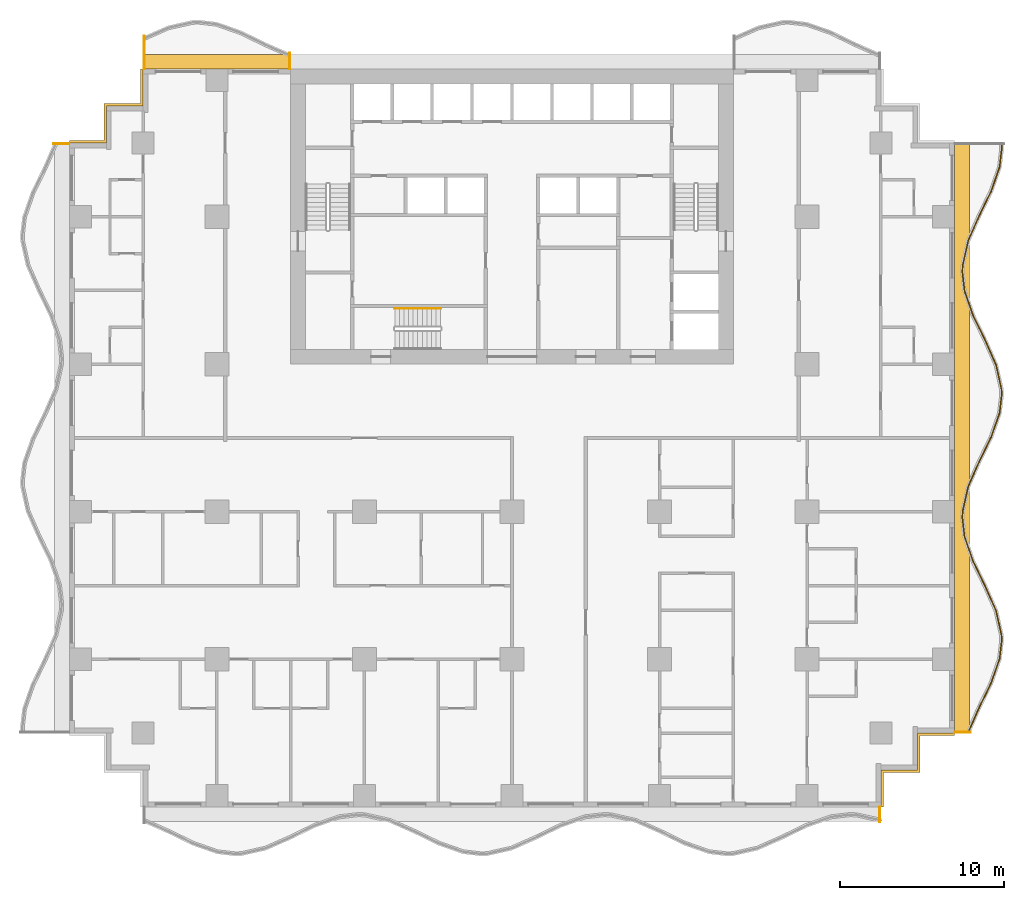
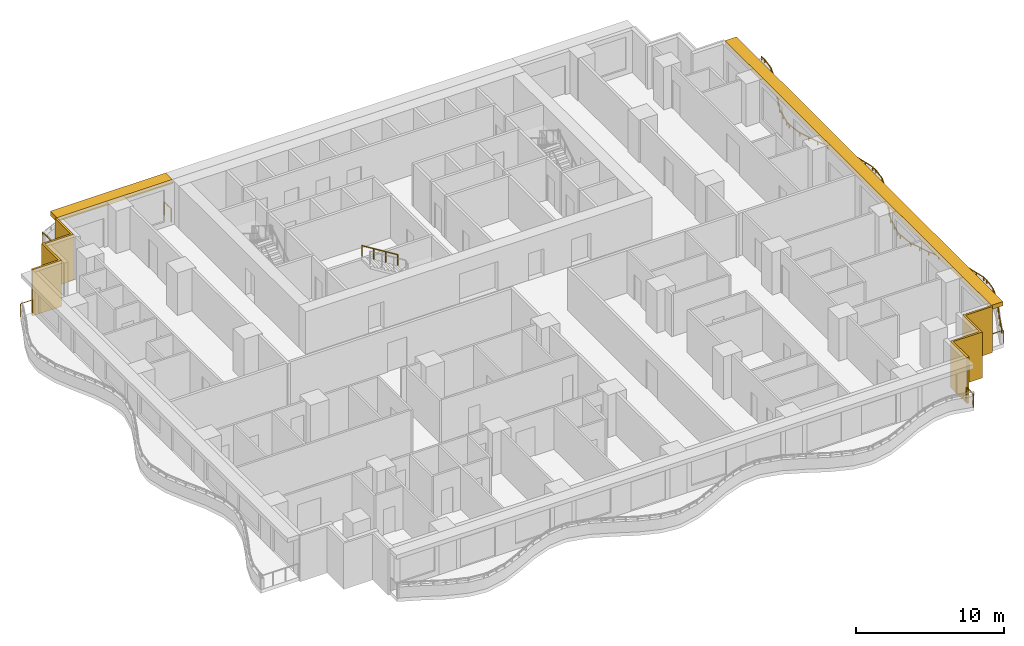
# One storey, part 11 of 14: 7 railings, 4 shading devices.
"""IFC4 building model written with IfcOpenShell, lengths in metres."""

from ifc_helpers import new_model, si_unit, direction, frame, origin, origin_2d, place, context, subcontext, project, spatial, polyline, rectangle, circle, outline, extrude, material, layer, layer_set, type_object, element, save


model = new_model("IFC4")

# Units and contexts
model_context = context("Model", 3, precision=1e-05, world=origin(), true_north=direction((0.0, 1.0)))
body_context = subcontext(model_context, "Body", "Model", "MODEL_VIEW")
ifc_project = project(units=[si_unit("LENGTHUNIT", "METRE"), si_unit("AREAUNIT", "SQUARE_METRE"), si_unit("VOLUMEUNIT", "CUBIC_METRE"), si_unit("PLANEANGLEUNIT", "RADIAN"), si_unit("MASSUNIT", "GRAM", prefix="KILO")], contexts=[model_context])

# Site, building, storey
site_placement = place(None, origin())
site = spatial("IfcSite", under=ifc_project, at=site_placement, CompositionType="ELEMENT")
building_placement = place(site_placement, origin())
building = spatial("IfcBuilding", under=site, at=building_placement, Name="Orbiselva Terraces", CompositionType="ELEMENT")
storey_placement = place(building_placement, frame((0.0, 0.0, 73.2)))
storey = spatial("IfcBuildingStorey", under=building, at=storey_placement, Name="L18", CompositionType="ELEMENT", Elevation=73.2)

# Railings
ifc_material_1 = material(Name="Stainless steel", Category="steel")
railing_type_1 = type_object("IfcRailingType", Name="CORE-HANDRAIL-900", PredefinedType="HANDRAIL", material=ifc_material_1)
railing_1_placement = place(storey_placement, frame((-4.35, 7.9, 2.072727)))
element("IfcRailing", 1, at=railing_1_placement, inside=storey, type_object=railing_type_1, Name="L18 S3 stair handrail 2", PredefinedType="HANDRAIL", context=body_context, shape_type="SweptSolid", body=[
    extrude(circle(Radius=0.024, at=origin_2d()), frame((0.0, 0.0, 0.876), z_axis=(-0.851088519012, 0.0, 0.52502222125), x_axis=(0.0, -1.0, 0.0)), (0.0, 0.0, 1.0), 3.289905),
    extrude(circle(Radius=0.021, at=origin_2d()), origin(), (0.0, 0.0, 1.0), 0.852),
    extrude(circle(Radius=0.021, at=origin_2d()), frame((-0.933333, 0.0, 0.575758)), (0.0, 0.0, 1.0), 0.852),
    extrude(circle(Radius=0.021, at=origin_2d()), frame((-1.866667, 0.0, 1.151515)), (0.0, 0.0, 1.0), 0.852),
    extrude(circle(Radius=0.021, at=origin_2d()), frame((-2.8, 0.0, 1.727273)), (0.0, 0.0, 1.0), 0.852),
])
ifc_material_2 = material(Name="Bonded two-ply safety glass balustrade, stainless steel posts", Category="steel")
railing_type_2 = type_object("IfcRailingType", Name="ENV-BALUSTRADE-1200", PredefinedType="BALUSTRADE", material=ifc_material_2)
railing_2_placement = place(storey_placement, frame((27.83708, -17.949606, 0.9)))
element("IfcRailing", 2, at=railing_2_placement, inside=storey, type_object=railing_type_2, Name="Balcony balustrade L18 E", PredefinedType="BALUSTRADE", context=body_context, shape_type="SweptSolid", body=[
    extrude(outline(polyline([(0.028868, 0.0), (0.014434, 0.025), (-0.014434, 0.025), (-0.028868, 0.0), (-0.014434, -0.025), (0.014434, -0.025), (0.028868, 0.0)])), frame((0.0, 0.0, 0.275), z_axis=(0.403151175476, 0.915133394491, 0.0), x_axis=(-0.915133394491, 0.403151175476, 0.0)), (0.0, 0.0, 1.0), 1.641563),
    extrude(outline(polyline([(0.028868, 0.0), (0.014434, 0.025), (-0.014434, 0.025), (-0.028868, 0.0), (-0.014434, -0.025), (0.014434, -0.025), (0.028868, 0.0)])), frame((0.661798, 1.502249, 0.275), z_axis=(0.438811978768, 0.89857890432, 0.0), x_axis=(-0.89857890432, 0.438811978768, 0.0)), (0.0, 0.0, 1.0), 1.66438),
    extrude(outline(polyline([(0.028868, 0.0), (0.014434, 0.025), (-0.014434, 0.025), (-0.028868, 0.0), (-0.014434, -0.025), (0.014434, -0.025), (0.028868, 0.0)])), frame((1.392148, 2.997826, 0.275), z_axis=(0.330024754707, 0.943972277814, 0.0), x_axis=(-0.943972277814, 0.330024754707, 0.0)), (0.0, 0.0, 1.0), 1.567807),
    extrude(outline(polyline([(0.028868, 0.0), (0.014434, 0.025), (-0.014434, 0.025), (-0.028868, 0.0), (-0.014434, -0.025), (0.014434, -0.025), (0.028868, 0.0)])), frame((1.909563, 4.477792, 0.275), z_axis=(0.115481264762, 0.993309658409, 0.0), x_axis=(-0.993309658409, 0.115481264762, 0.0)), (0.0, 0.0, 1.0), 1.10902),
    extrude(outline(polyline([(0.028868, 0.0), (0.014434, 0.025), (-0.014434, 0.025), (-0.028868, 0.0), (-0.014434, -0.025), (0.014434, -0.025), (0.028868, 0.0)])), frame((2.037634, 5.579392, 0.275), z_axis=(-0.039364150694, 0.999224931454, 0.0), x_axis=(-0.999224931454, -0.039364150694, 0.0)), (0.0, 0.0, 1.0), 0.354206),
    extrude(outline(polyline([(0.028868, 0.0), (0.014434, 0.025), (-0.014434, 0.025), (-0.028868, 0.0), (-0.014434, -0.025), (0.014434, -0.025), (0.028868, 0.0)])), frame((2.023691, 5.933323, 0.275), z_axis=(-0.219015740235, 0.975721325753, 0.0), x_axis=(-0.975721325753, -0.219015740235, 0.0)), (0.0, 0.0, 1.0), 1.513782),
    extrude(outline(polyline([(0.028868, 0.0), (0.014434, 0.025), (-0.014434, 0.025), (-0.028868, 0.0), (-0.014434, -0.025), (0.014434, -0.025), (0.028868, 0.0)])), frame((1.692149, 7.410352, 0.275), z_axis=(-0.403151245402, 0.915133363686, 0.0), x_axis=(-0.915133363686, -0.403151245402, 0.0)), (0.0, 0.0, 1.0), 1.624475),
    extrude(outline(polyline([(0.028868, 0.0), (0.014434, 0.025), (-0.014434, 0.025), (-0.028868, 0.0), (-0.014434, -0.025), (0.014434, -0.025), (0.028868, 0.0)])), frame((1.03724, 8.896963, 0.275), z_axis=(-0.438812048596, 0.898578870221, 0.0), x_axis=(-0.898578870221, -0.438812048596, 0.0)), (0.0, 0.0, 1.0), 1.674225),
    extrude(outline(polyline([(0.028868, 0.0), (0.014434, 0.025), (-0.014434, 0.025), (-0.028868, 0.0), (-0.014434, -0.025), (0.014434, -0.025), (0.028868, 0.0)])), frame((0.30257, 10.401386, 0.275), z_axis=(-0.330024597479, 0.943972332783, 0.0), x_axis=(-0.943972332783, -0.330024597479, 0.0)), (0.0, 0.0, 1.0), 1.610253),
    extrude(outline(polyline([(0.028868, 0.0), (0.014434, 0.025), (-0.014434, 0.025), (-0.028868, 0.0), (-0.014434, -0.025), (0.014434, -0.025), (0.028868, 0.0)])), frame((-0.228853, 11.92142, 0.275), z_axis=(-0.115482182324, 0.993309551734, 0.0), x_axis=(-0.993309551734, -0.115482182324, 0.0)), (0.0, 0.0, 1.0), 1.156135),
    extrude(outline(polyline([(0.028868, 0.0), (0.014434, 0.025), (-0.014434, 0.025), (-0.028868, 0.0), (-0.014434, -0.025), (0.014434, -0.025), (0.028868, 0.0)])), frame((-0.362366, 13.06982, 0.275), z_axis=(0.03936915532, 0.999224734286, 0.0), x_axis=(-0.999224734286, 0.03936915532, 0.0)), (0.0, 0.0, 1.0), 0.396376),
    extrude(outline(polyline([(0.028868, 0.0), (0.014434, 0.025), (-0.014434, 0.025), (-0.028868, 0.0), (-0.014434, -0.025), (0.014434, -0.025), (0.028868, 0.0)])), frame((-0.346761, 13.465889, 0.275), z_axis=(0.219015500924, 0.97572137947, 0.0), x_axis=(-0.97572137947, 0.219015500924, 0.0)), (0.0, 0.0, 1.0), 1.560867),
    extrude(outline(polyline([(0.028868, 0.0), (0.014434, 0.025), (-0.014434, 0.025), (-0.028868, 0.0), (-0.014434, -0.025), (0.014434, -0.025), (0.028868, 0.0)])), frame((-0.004907, 14.98886, 0.275), z_axis=(0.403150874148, 0.915133527237, 0.0), x_axis=(-0.915133527237, 0.403150874148, 0.0)), (0.0, 0.0, 1.0), 1.653736),
    extrude(outline(polyline([(0.028868, 0.0), (0.014434, 0.025), (-0.014434, 0.025), (-0.028868, 0.0), (-0.014434, -0.025), (0.014434, -0.025), (0.028868, 0.0)])), frame((0.661798, 16.502249, 0.275), z_axis=(0.438811978768, 0.89857890432, 0.0), x_axis=(-0.89857890432, 0.438811978768, 0.0)), (0.0, 0.0, 1.0), 1.66438),
    extrude(outline(polyline([(0.028868, 0.0), (0.014434, 0.025), (-0.014434, 0.025), (-0.028868, 0.0), (-0.014434, -0.025), (0.014434, -0.025), (0.028868, 0.0)])), frame((1.392148, 17.997826, 0.275), z_axis=(0.330024754707, 0.943972277814, 0.0), x_axis=(-0.943972277814, 0.330024754707, 0.0)), (0.0, 0.0, 1.0), 1.567807),
    extrude(outline(polyline([(0.028868, 0.0), (0.014434, 0.025), (-0.014434, 0.025), (-0.028868, 0.0), (-0.014434, -0.025), (0.014434, -0.025), (0.028868, 0.0)])), frame((1.909563, 19.477792, 0.275), z_axis=(0.115481264762, 0.993309658409, 0.0), x_axis=(-0.993309658409, 0.115481264762, 0.0)), (0.0, 0.0, 1.0), 1.10902),
    extrude(outline(polyline([(0.028868, 0.0), (0.014434, 0.025), (-0.014434, 0.025), (-0.028868, 0.0), (-0.014434, -0.025), (0.014434, -0.025), (0.028868, 0.0)])), frame((2.037634, 20.579392, 0.275), z_axis=(-0.039364150694, 0.999224931454, 0.0), x_axis=(-0.999224931454, -0.039364150694, 0.0)), (0.0, 0.0, 1.0), 0.354206),
    extrude(outline(polyline([(0.028868, 0.0), (0.014434, 0.025), (-0.014434, 0.025), (-0.028868, 0.0), (-0.014434, -0.025), (0.014434, -0.025), (0.028868, 0.0)])), frame((2.023691, 20.933323, 0.275), z_axis=(-0.219015740235, 0.975721325753, 0.0), x_axis=(-0.975721325753, -0.219015740235, 0.0)), (0.0, 0.0, 1.0), 1.513782),
    extrude(outline(polyline([(0.028868, 0.0), (0.014434, 0.025), (-0.014434, 0.025), (-0.028868, 0.0), (-0.014434, -0.025), (0.014434, -0.025), (0.028868, 0.0)])), frame((1.692149, 22.410352, 0.275), z_axis=(-0.403151245402, 0.915133363686, 0.0), x_axis=(-0.915133363686, -0.403151245402, 0.0)), (0.0, 0.0, 1.0), 1.624475),
    extrude(outline(polyline([(0.028868, 0.0), (0.014434, 0.025), (-0.014434, 0.025), (-0.028868, 0.0), (-0.014434, -0.025), (0.014434, -0.025), (0.028868, 0.0)])), frame((1.03724, 23.896963, 0.275), z_axis=(-0.438812048596, 0.898578870221, 0.0), x_axis=(-0.898578870221, -0.438812048596, 0.0)), (0.0, 0.0, 1.0), 1.674225),
    extrude(outline(polyline([(0.028868, 0.0), (0.014434, 0.025), (-0.014434, 0.025), (-0.028868, 0.0), (-0.014434, -0.025), (0.014434, -0.025), (0.028868, 0.0)])), frame((0.30257, 25.401386, 0.275), z_axis=(-0.330024597479, 0.943972332783, 0.0), x_axis=(-0.943972332783, -0.330024597479, 0.0)), (0.0, 0.0, 1.0), 1.610253),
    extrude(outline(polyline([(0.028868, 0.0), (0.014434, 0.025), (-0.014434, 0.025), (-0.028868, 0.0), (-0.014434, -0.025), (0.014434, -0.025), (0.028868, 0.0)])), frame((-0.228853, 26.92142, 0.275), z_axis=(-0.115482182324, 0.993309551734, 0.0), x_axis=(-0.993309551734, -0.115482182324, 0.0)), (0.0, 0.0, 1.0), 1.156135),
    extrude(outline(polyline([(0.028868, 0.0), (0.014434, 0.025), (-0.014434, 0.025), (-0.028868, 0.0), (-0.014434, -0.025), (0.014434, -0.025), (0.028868, 0.0)])), frame((-0.362366, 28.06982, 0.275), z_axis=(0.03936915532, 0.999224734286, 0.0), x_axis=(-0.999224734286, 0.03936915532, 0.0)), (0.0, 0.0, 1.0), 0.396376),
    extrude(outline(polyline([(0.028868, 0.0), (0.014434, 0.025), (-0.014434, 0.025), (-0.028868, 0.0), (-0.014434, -0.025), (0.014434, -0.025), (0.028868, 0.0)])), frame((-0.346761, 28.465889, 0.275), z_axis=(0.219015500924, 0.97572137947, 0.0), x_axis=(-0.97572137947, 0.219015500924, 0.0)), (0.0, 0.0, 1.0), 1.560867),
    extrude(outline(polyline([(0.028868, 0.0), (0.014434, 0.025), (-0.014434, 0.025), (-0.028868, 0.0), (-0.014434, -0.025), (0.014434, -0.025), (0.028868, 0.0)])), frame((-0.004907, 29.98886, 0.275), z_axis=(0.403150874148, 0.915133527237, 0.0), x_axis=(-0.915133527237, 0.403150874148, 0.0)), (0.0, 0.0, 1.0), 1.653736),
    extrude(outline(polyline([(0.028868, 0.0), (0.014434, 0.025), (-0.014434, 0.025), (-0.028868, 0.0), (-0.014434, -0.025), (0.014434, -0.025), (0.028868, 0.0)])), frame((0.661798, 31.502249, 0.275), z_axis=(0.438811978768, 0.89857890432, 0.0), x_axis=(-0.89857890432, 0.438811978768, 0.0)), (0.0, 0.0, 1.0), 1.66438),
    extrude(outline(polyline([(0.028868, 0.0), (0.014434, 0.025), (-0.014434, 0.025), (-0.028868, 0.0), (-0.014434, -0.025), (0.014434, -0.025), (0.028868, 0.0)])), frame((1.392148, 32.997826, 0.275), z_axis=(0.330024754707, 0.943972277814, 0.0), x_axis=(-0.943972277814, 0.330024754707, 0.0)), (0.0, 0.0, 1.0), 1.567807),
    extrude(outline(polyline([(0.028868, 0.0), (0.014434, 0.025), (-0.014434, 0.025), (-0.028868, 0.0), (-0.014434, -0.025), (0.014434, -0.025), (0.028868, 0.0)])), frame((1.909563, 34.477792, 0.275), z_axis=(0.115481264762, 0.993309658409, 0.0), x_axis=(-0.993309658409, 0.115481264762, 0.0)), (0.0, 0.0, 1.0), 1.10902),
    extrude(outline(polyline([(0.028868, 0.0), (0.014434, 0.025), (-0.014434, 0.025), (-0.028868, 0.0), (-0.014434, -0.025), (0.014434, -0.025), (0.028868, 0.0)])), frame((2.037634, 35.579392, 0.275), z_axis=(-0.039365236599, 0.999224888675, 0.0), x_axis=(-0.999224888675, -0.039365236599, 0.0)), (0.0, 0.0, 1.0), 0.365576),
    extrude(rectangle(XDim=0.05, YDim=0.05, at=origin_2d()), origin(), (0.0, 0.0, 1.0), 0.25),
    extrude(rectangle(XDim=0.05, YDim=0.05, at=origin_2d()), frame((0.330899, 0.751124, 0.0)), (0.0, 0.0, 1.0), 0.25),
    extrude(rectangle(XDim=0.05, YDim=0.05, at=origin_2d()), frame((0.661798, 1.502249, 0.0)), (0.0, 0.0, 1.0), 0.25),
    extrude(rectangle(XDim=0.05, YDim=0.05, at=origin_2d()), frame((1.026973, 2.250037, 0.0)), (0.0, 0.0, 1.0), 0.25),
    extrude(rectangle(XDim=0.05, YDim=0.05, at=origin_2d()), frame((1.392148, 2.997826, 0.0)), (0.0, 0.0, 1.0), 0.25),
    extrude(rectangle(XDim=0.05, YDim=0.05, at=origin_2d()), frame((1.650855, 3.737809, 0.0)), (0.0, 0.0, 1.0), 0.25),
    extrude(rectangle(XDim=0.05, YDim=0.05, at=origin_2d()), frame((1.909563, 4.477792, 0.0)), (0.0, 0.0, 1.0), 0.25),
    extrude(rectangle(XDim=0.05, YDim=0.05, at=origin_2d()), frame((2.037634, 5.579392, 0.0)), (0.0, 0.0, 1.0), 0.25),
    extrude(rectangle(XDim=0.05, YDim=0.05, at=origin_2d()), frame((2.023691, 5.933323, 0.0)), (0.0, 0.0, 1.0), 0.25),
    extrude(rectangle(XDim=0.05, YDim=0.05, at=origin_2d()), frame((1.85792, 6.671838, 0.0)), (0.0, 0.0, 1.0), 0.25),
    extrude(rectangle(XDim=0.05, YDim=0.05, at=origin_2d()), frame((1.692149, 7.410352, 0.0)), (0.0, 0.0, 1.0), 0.25),
    extrude(rectangle(XDim=0.05, YDim=0.05, at=origin_2d()), frame((1.364695, 8.153658, 0.0)), (0.0, 0.0, 1.0), 0.25),
    extrude(rectangle(XDim=0.05, YDim=0.05, at=origin_2d()), frame((1.03724, 8.896963, 0.0)), (0.0, 0.0, 1.0), 0.25),
    extrude(rectangle(XDim=0.05, YDim=0.05, at=origin_2d()), frame((0.669905, 9.649174, 0.0)), (0.0, 0.0, 1.0), 0.25),
    extrude(rectangle(XDim=0.05, YDim=0.05, at=origin_2d()), frame((0.30257, 10.401386, 0.0)), (0.0, 0.0, 1.0), 0.25),
    extrude(rectangle(XDim=0.05, YDim=0.05, at=origin_2d()), frame((0.036858, 11.161403, 0.0)), (0.0, 0.0, 1.0), 0.25),
    extrude(rectangle(XDim=0.05, YDim=0.05, at=origin_2d()), frame((-0.228853, 11.92142, 0.0)), (0.0, 0.0, 1.0), 0.25),
    extrude(rectangle(XDim=0.05, YDim=0.05, at=origin_2d()), frame((-0.362366, 13.06982, 0.0)), (0.0, 0.0, 1.0), 0.25),
    extrude(rectangle(XDim=0.05, YDim=0.05, at=origin_2d()), frame((-0.346761, 13.465889, 0.0)), (0.0, 0.0, 1.0), 0.25),
    extrude(rectangle(XDim=0.05, YDim=0.05, at=origin_2d()), frame((-0.175834, 14.227374, 0.0)), (0.0, 0.0, 1.0), 0.25),
    extrude(rectangle(XDim=0.05, YDim=0.05, at=origin_2d()), frame((-0.004907, 14.98886, 0.0)), (0.0, 0.0, 1.0), 0.25),
    extrude(rectangle(XDim=0.05, YDim=0.05, at=origin_2d()), frame((0.328446, 15.745554, 0.0)), (0.0, 0.0, 1.0), 0.25),
    extrude(rectangle(XDim=0.05, YDim=0.05, at=origin_2d()), frame((0.661798, 16.502249, 0.0)), (0.0, 0.0, 1.0), 0.25),
    extrude(rectangle(XDim=0.05, YDim=0.05, at=origin_2d()), frame((1.026973, 17.250037, 0.0)), (0.0, 0.0, 1.0), 0.25),
    extrude(rectangle(XDim=0.05, YDim=0.05, at=origin_2d()), frame((1.392148, 17.997826, 0.0)), (0.0, 0.0, 1.0), 0.25),
    extrude(rectangle(XDim=0.05, YDim=0.05, at=origin_2d()), frame((1.650855, 18.737809, 0.0)), (0.0, 0.0, 1.0), 0.25),
    extrude(rectangle(XDim=0.05, YDim=0.05, at=origin_2d()), frame((1.909563, 19.477792, 0.0)), (0.0, 0.0, 1.0), 0.25),
    extrude(rectangle(XDim=0.05, YDim=0.05, at=origin_2d()), frame((2.037634, 20.579392, 0.0)), (0.0, 0.0, 1.0), 0.25),
    extrude(rectangle(XDim=0.05, YDim=0.05, at=origin_2d()), frame((2.023691, 20.933323, 0.0)), (0.0, 0.0, 1.0), 0.25),
    extrude(rectangle(XDim=0.05, YDim=0.05, at=origin_2d()), frame((1.85792, 21.671838, 0.0)), (0.0, 0.0, 1.0), 0.25),
    extrude(rectangle(XDim=0.05, YDim=0.05, at=origin_2d()), frame((1.692149, 22.410352, 0.0)), (0.0, 0.0, 1.0), 0.25),
    extrude(rectangle(XDim=0.05, YDim=0.05, at=origin_2d()), frame((1.364695, 23.153658, 0.0)), (0.0, 0.0, 1.0), 0.25),
    extrude(rectangle(XDim=0.05, YDim=0.05, at=origin_2d()), frame((1.03724, 23.896963, 0.0)), (0.0, 0.0, 1.0), 0.25),
    extrude(rectangle(XDim=0.05, YDim=0.05, at=origin_2d()), frame((0.669905, 24.649174, 0.0)), (0.0, 0.0, 1.0), 0.25),
    extrude(rectangle(XDim=0.05, YDim=0.05, at=origin_2d()), frame((0.30257, 25.401386, 0.0)), (0.0, 0.0, 1.0), 0.25),
    extrude(rectangle(XDim=0.05, YDim=0.05, at=origin_2d()), frame((0.036858, 26.161403, 0.0)), (0.0, 0.0, 1.0), 0.25),
    extrude(rectangle(XDim=0.05, YDim=0.05, at=origin_2d()), frame((-0.228853, 26.92142, 0.0)), (0.0, 0.0, 1.0), 0.25),
    extrude(rectangle(XDim=0.05, YDim=0.05, at=origin_2d()), frame((-0.362366, 28.06982, 0.0)), (0.0, 0.0, 1.0), 0.25),
    extrude(rectangle(XDim=0.05, YDim=0.05, at=origin_2d()), frame((-0.346761, 28.465889, 0.0)), (0.0, 0.0, 1.0), 0.25),
    extrude(rectangle(XDim=0.05, YDim=0.05, at=origin_2d()), frame((-0.175834, 29.227374, 0.0)), (0.0, 0.0, 1.0), 0.25),
    extrude(rectangle(XDim=0.05, YDim=0.05, at=origin_2d()), frame((-0.004907, 29.98886, 0.0)), (0.0, 0.0, 1.0), 0.25),
    extrude(rectangle(XDim=0.05, YDim=0.05, at=origin_2d()), frame((0.328446, 30.745554, 0.0)), (0.0, 0.0, 1.0), 0.25),
    extrude(rectangle(XDim=0.05, YDim=0.05, at=origin_2d()), frame((0.661798, 31.502249, 0.0)), (0.0, 0.0, 1.0), 0.25),
    extrude(rectangle(XDim=0.05, YDim=0.05, at=origin_2d()), frame((1.026973, 32.250038, 0.0)), (0.0, 0.0, 1.0), 0.25),
    extrude(rectangle(XDim=0.05, YDim=0.05, at=origin_2d()), frame((1.392148, 32.997826, 0.0)), (0.0, 0.0, 1.0), 0.25),
    extrude(rectangle(XDim=0.05, YDim=0.05, at=origin_2d()), frame((1.650855, 33.737809, 0.0)), (0.0, 0.0, 1.0), 0.25),
    extrude(rectangle(XDim=0.05, YDim=0.05, at=origin_2d()), frame((1.909563, 34.477792, 0.0)), (0.0, 0.0, 1.0), 0.25),
    extrude(rectangle(XDim=0.05, YDim=0.05, at=origin_2d()), frame((2.037634, 35.579392, 0.0)), (0.0, 0.0, 1.0), 0.25),
    extrude(rectangle(XDim=0.05, YDim=0.05, at=origin_2d()), frame((2.023243, 35.944685, 0.0)), (0.0, 0.0, 1.0), 0.25),
])
ifc_material_3 = material(Name="Stainless steel rail and posts", Category="steel")
railing_type_3 = type_object("IfcRailingType", Name="ENV-GUARD-1105", PredefinedType="BALUSTRADE", material=ifc_material_3)
railing_3_placement = place(storey_placement, frame((22.44, -23.430416, 0.0)))
element("IfcRailing", 3, at=railing_3_placement, inside=storey, type_object=railing_type_3, Name="Balcony end guard L18 S", PredefinedType="BALUSTRADE", context=body_context, shape_type="SweptSolid", body=[
    extrude(outline(polyline([(0.028868, 0.0), (0.014434, 0.025), (-0.014434, 0.025), (-0.028868, 0.0), (-0.014434, -0.025), (0.014434, -0.025), (0.028868, 0.0)])), frame((0.0, 0.0, 1.08), z_axis=(0.0, 1.0, 0.0), x_axis=(-1.0, 0.0, 0.0)), (0.0, 0.0, 1.0), 0.905416),
    extrude(rectangle(XDim=0.05, YDim=0.05, at=origin_2d()), origin(), (0.0, 0.0, 1.0), 1.055),
    extrude(rectangle(XDim=0.05, YDim=0.05, at=origin_2d()), frame((0.0, 0.905416, 0.0)), (0.0, 0.0, 1.0), 1.055),
])
railing_4_placement = place(storey_placement, frame((27.973063, -17.94, 0.0)))
element("IfcRailing", 4, at=railing_4_placement, inside=storey, type_object=railing_type_3, Name="Balcony end guard L18 E", PredefinedType="BALUSTRADE", context=body_context, shape_type="SweptSolid", body=[
    extrude(outline(polyline([(0.028868, 0.0), (0.014434, 0.025), (-0.014434, 0.025), (-0.028868, 0.0), (-0.014434, -0.025), (0.014434, -0.025), (0.028868, 0.0)])), frame((0.0, 0.0, 1.08), z_axis=(-1.0, 0.0, 0.0), x_axis=(0.0, -1.0, 0.0)), (0.0, 0.0, 1.0), 0.948063),
    extrude(rectangle(XDim=0.05, YDim=0.05, at=origin_2d()), origin(), (0.0, 0.0, 1.0), 1.055),
    extrude(rectangle(XDim=0.05, YDim=0.05, at=origin_2d()), frame((-0.948063, 0.0, 0.0)), (0.0, 0.0, 1.0), 1.055),
])
railing_5_placement = place(storey_placement, frame((-13.56, 23.473063, 0.0)))
element("IfcRailing", 5, at=railing_5_placement, inside=storey, type_object=railing_type_3, Name="Balcony end guard L18 NW", PredefinedType="BALUSTRADE", context=body_context, shape_type="SweptSolid", body=[
    extrude(outline(polyline([(0.028868, 0.0), (0.014434, 0.025), (-0.014434, 0.025), (-0.028868, 0.0), (-0.014434, -0.025), (0.014434, -0.025), (0.028868, 0.0)])), frame((0.0, 0.0, 1.08), z_axis=(0.0, -1.0, 0.0), x_axis=(1.0, 0.0, 0.0)), (0.0, 0.0, 1.0), 0.948063),
    extrude(rectangle(XDim=0.05, YDim=0.05, at=origin_2d()), origin(), (0.0, 0.0, 1.0), 1.055),
    extrude(rectangle(XDim=0.05, YDim=0.05, at=origin_2d()), frame((0.0, -0.948063, 0.0)), (0.0, 0.0, 1.0), 1.055),
])
railing_6_placement = place(storey_placement, frame((-22.44, 24.517447, 0.0)))
element("IfcRailing", 6, at=railing_6_placement, inside=storey, type_object=railing_type_3, Name="Balcony end guard L18 NW", PredefinedType="BALUSTRADE", context=body_context, shape_type="SweptSolid", body=[
    extrude(outline(polyline([(0.028868, 0.0), (0.014434, 0.025), (-0.014434, 0.025), (-0.028868, 0.0), (-0.014434, -0.025), (0.014434, -0.025), (0.028868, 0.0)])), frame((0.0, 0.0, 1.08), z_axis=(0.0, -1.0, 0.0), x_axis=(1.0, 0.0, 0.0)), (0.0, 0.0, 1.0), 1.992447),
    extrude(rectangle(XDim=0.05, YDim=0.05, at=origin_2d()), origin(), (0.0, 0.0, 1.0), 1.055),
    extrude(rectangle(XDim=0.05, YDim=0.05, at=origin_2d()), frame((0.0, -0.996224, 0.0)), (0.0, 0.0, 1.0), 1.055),
    extrude(rectangle(XDim=0.05, YDim=0.05, at=origin_2d()), frame((0.0, -1.992447, 0.0)), (0.0, 0.0, 1.0), 1.055),
])
railing_7_placement = place(storey_placement, frame((-27.973063, 17.94, 0.0)))
element("IfcRailing", 7, at=railing_7_placement, inside=storey, type_object=railing_type_3, Name="Balcony end guard L18 W", PredefinedType="BALUSTRADE", context=body_context, shape_type="SweptSolid", body=[
    extrude(outline(polyline([(0.028868, 0.0), (0.014434, 0.025), (-0.014434, 0.025), (-0.028868, 0.0), (-0.014434, -0.025), (0.014434, -0.025), (0.028868, 0.0)])), frame((0.0, 0.0, 1.08), z_axis=(1.0, 0.0, 0.0), x_axis=(0.0, 1.0, 0.0)), (0.0, 0.0, 1.0), 0.948063),
    extrude(rectangle(XDim=0.05, YDim=0.05, at=origin_2d()), origin(), (0.0, 0.0, 1.0), 1.055),
    extrude(rectangle(XDim=0.05, YDim=0.05, at=origin_2d()), frame((0.948063, 0.0, 0.0)), (0.0, 0.0, 1.0), 1.055),
])

# Shading devices
ifc_material_4 = material(Name="Terracotta louvre screen", Category="masonry")
ifc_layer_1 = layer(ifc_material_4, 0.15)
ifc_layer_set_1 = layer_set([ifc_layer_1], Name="Terracotta louvre screen")
shading_device_type_1 = type_object("IfcShadingDeviceType", Name="ENV-SCREEN-150", PredefinedType="USERDEFINED", material=ifc_layer_set_1)
shading_device_1_placement = place(storey_placement, frame((0.0, 0.0, -0.3)))
element("IfcShadingDevice", 8, at=shading_device_1_placement, inside=storey, type_object=shading_device_type_1, Name="Louvre screen L18 NW", ObjectType="SCREEN", PredefinedType="USERDEFINED", context=body_context, shape_type="SweptSolid", body=[
    extrude(outline(polyline([(-22.65, 22.5), (-22.65, 20.4), (-24.9, 20.4), (-24.9, 18.15), (-27.0, 18.15), (-27.0, 18.0), (-24.75, 18.0), (-24.75, 20.25), (-22.5, 20.25), (-22.5, 22.5), (-22.65, 22.5)])), origin(), (0.0, 0.0, 1.0), 3.8),
])
shading_device_2_placement = place(storey_placement, frame((0.0, 0.0, -0.3)))
element("IfcShadingDevice", 9, at=shading_device_2_placement, inside=storey, type_object=shading_device_type_1, Name="Louvre screen L18 SE", ObjectType="SCREEN", PredefinedType="USERDEFINED", context=body_context, shape_type="SweptSolid", body=[
    extrude(outline(polyline([(22.65, -22.5), (22.65, -20.4), (24.9, -20.4), (24.9, -18.15), (27.0, -18.15), (27.0, -18.0), (24.75, -18.0), (24.75, -20.25), (22.5, -20.25), (22.5, -22.5), (22.65, -22.5)])), origin(), (0.0, 0.0, 1.0), 3.8),
])
ifc_material_5 = material(Name="Terracotta baguette sunshade", Category="masonry")
ifc_layer_2 = layer(ifc_material_5, 0.35)
ifc_layer_set_2 = layer_set([ifc_layer_2], Name="Terracotta baguette sunshade")
shading_device_type_2 = type_object("IfcShadingDeviceType", Name="ENV-SUNSHADE-900x350", PredefinedType="USERDEFINED", material=ifc_layer_set_2)
shading_device_3_placement = place(storey_placement, frame((0.0, 0.0, 3.15)))
element("IfcShadingDevice", 10, at=shading_device_3_placement, inside=storey, type_object=shading_device_type_2, Name="Sunshade band L18 E", ObjectType="SUNSHADE", PredefinedType="USERDEFINED", context=body_context, shape_type="SweptSolid", body=[
    extrude(outline(polyline([(27.9, -18.0), (27.9, 18.0), (27.0, 18.0), (27.0, -18.0), (27.9, -18.0)])), origin(), (0.0, 0.0, 1.0), 0.35),
])
shading_device_4_placement = place(storey_placement, frame((0.0, 0.0, 3.15)))
element("IfcShadingDevice", 11, at=shading_device_4_placement, inside=storey, type_object=shading_device_type_2, Name="Sunshade band L18 NW", ObjectType="SUNSHADE", PredefinedType="USERDEFINED", context=body_context, shape_type="SweptSolid", body=[
    extrude(outline(polyline([(-13.5, 23.4), (-22.5, 23.4), (-22.5, 22.5), (-13.5, 22.5), (-13.5, 23.4)])), origin(), (0.0, 0.0, 1.0), 0.35),
])

save(model, "model.ifc")
